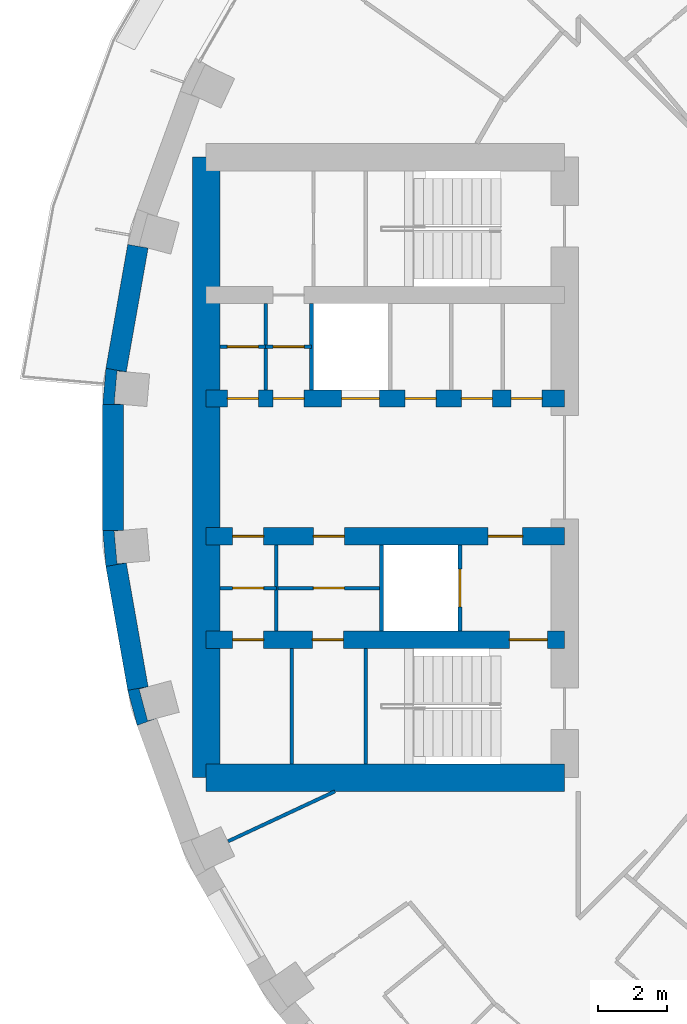
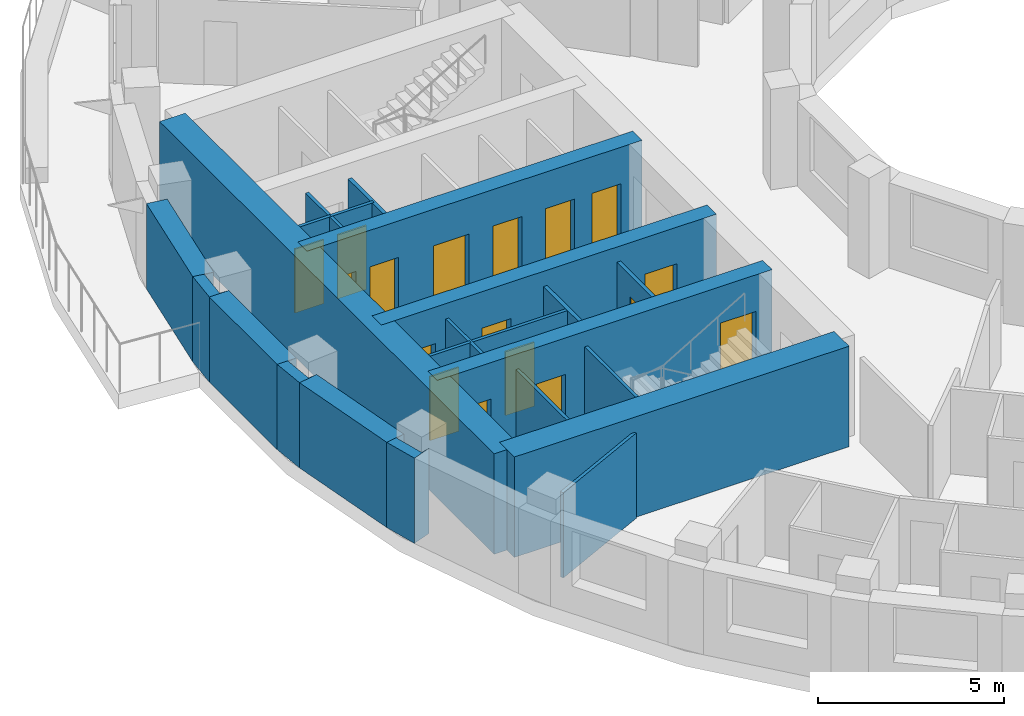
# One storey, part 6 of 14: 23 walls, 17 doors, 17 openings.
"""IFC4 building model written with IfcOpenShell, lengths in metres."""

from ifc_helpers import new_model, si_unit, direction, frame, frame_2d, origin, place, context, subcontext, project, spatial, polyline, rectangle, outline, extrude, material, layer, layer_set, type_object, element, fill, save


model = new_model("IFC4")

# Units and contexts
model_context = context("Model", 3, precision=1e-05, world=origin(), true_north=direction((0.0, 1.0)))
body_context = subcontext(model_context, "Body", "Model", "MODEL_VIEW")
ifc_project = project(units=[si_unit("LENGTHUNIT", "METRE"), si_unit("AREAUNIT", "SQUARE_METRE"), si_unit("VOLUMEUNIT", "CUBIC_METRE"), si_unit("PLANEANGLEUNIT", "RADIAN"), si_unit("MASSUNIT", "GRAM", prefix="KILO")], contexts=[model_context])

# Site, building, storey
site_placement = place(None, origin())
site = spatial("IfcSite", under=ifc_project, at=site_placement, CompositionType="ELEMENT")
building_placement = place(site_placement, origin())
building = spatial("IfcBuilding", under=site, at=building_placement, Name="Saqina Gate Tower", CompositionType="ELEMENT")
storey_placement = place(building_placement, frame((0.0, 0.0, 101.800048828125)))
storey = spatial("IfcBuildingStorey", under=building, at=storey_placement, Name="L28", CompositionType="ELEMENT", Elevation=101.800048828125)

# Walls
ifc_material_1 = material(Name="Brick masonry (buff)", Category="masonry")
wall_type_1 = type_object("IfcWallType", Name="BRICK PIER COPING BUFF", PredefinedType="SOLIDWALL", material=ifc_material_1)
wall_1_placement = place(storey_placement, origin())
element("IfcWall", 1, at=wall_1_placement, inside=storey, type_object=wall_type_1, Name="Pier cap L28 column 18", PredefinedType="SOLIDWALL", context=body_context, shape_type="SweptSolid", body=[
    extrude(outline(polyline([(-26.805419921875, 2.87451171875), (-26.897216796875, 1.823974609375), (-26.29736328125, 1.823974609375), (-26.565185546875, 1.847412109375), (-26.482421875, 2.793701171875), (-26.214599609375, 2.770263671875), (-26.805419921875, 2.87451171875)])), origin(), (0.0, 0.0, 1.0), 2.800048828125),
])
wall_2_placement = place(storey_placement, origin())
element("IfcWall", 2, at=wall_2_placement, inside=storey, type_object=wall_type_1, Name="Pier cap L28 column 19", PredefinedType="SOLIDWALL", context=body_context, shape_type="SweptSolid", body=[
    extrude(outline(polyline([(-26.805419921875, -2.87451171875), (-26.214599609375, -2.770263671875), (-26.482421875, -2.793701171875), (-26.565185546875, -1.847412109375), (-26.29736328125, -1.823974609375), (-26.897216796875, -1.823974609375), (-26.805419921875, -2.87451171875)])), origin(), (0.0, 0.0, 1.0), 2.800048828125),
])
wall_3_placement = place(storey_placement, origin())
element("IfcWall", 3, at=wall_3_placement, inside=storey, type_object=wall_type_1, Name="Pier cap L28 column 20", PredefinedType="SOLIDWALL", context=body_context, shape_type="SweptSolid", body=[
    extrude(outline(polyline([(-26.171875, -6.466796875), (-25.89892578125, -7.485595703125), (-25.335205078125, -7.2802734375), (-25.5947265625, -7.349853515625), (-25.8408203125, -6.43212890625), (-25.5810546875, -6.36279296875), (-26.171875, -6.466796875)])), origin(), (0.0, 0.0, 1.0), 2.800048828125),
])
ifc_material_2 = material(Name="Gypsum board on steel studs", Category="steel")
ifc_layer_1 = layer(ifc_material_2, 0.10009765625)
ifc_layer_set_1 = layer_set([ifc_layer_1], Name="CORE PARTITION")
wall_type_2 = type_object("IfcWallType", Name="CORE PARTITION", PredefinedType="PARTITIONING", material=ifc_layer_set_1)
for number, where, z_axis, x_axis, name in (
    (4, (-22.169921875, 2.25, 0.0), (0.0, 0.0, 1.0), (0.0, 1.0, 0.0), "L28-CP-W05"),
    (5, (-21.8583984375, -4.75, 0.0), (0.0, 0.0, 1.0), (0.0, 1.0, 0.0), "L28-CP-W08"),
):
    element("IfcWall", number, at=place(storey_placement, frame(where, z_axis=z_axis, x_axis=x_axis)), inside=storey, type_object=wall_type_2, Name=name, PredefinedType="PARTITIONING", context=body_context, shape_type="SweptSolid", body=[
        extrude(rectangle(XDim=2.5, YDim=0.10009765625, at=frame_2d((1.25, 0.0))), origin(), (0.0, 0.0, 1.0), 2.800048828125),
    ])

# Wall, opening, door
wall_4_placement = place(storey_placement, frame((-20.840087890625, 3.5, 0.0), z_axis=(0.0, 0.0, 1.0), x_axis=(-1.0, 0.0, 0.0)))
wall_4 = element("IfcWall", 6, at=wall_4_placement, inside=storey, type_object=wall_type_2, Name="L28-CP-W09", PredefinedType="PARTITIONING", context=body_context, shape_type="SweptSolid", body=[
    extrude(rectangle(XDim=1.329833984375, YDim=0.10009765625, at=frame_2d((0.6650390625, 0.0))), origin(), (0.0, 0.0, 1.0), 2.800048828125),
])
opening_1_placement = place(wall_4_placement, frame((0.215087890625, 0.0, 0.0)))
opening_1 = element("IfcOpeningElement", 7, at=opening_1_placement, cuts=wall_4, Name="Opening G08-D119", PredefinedType="OPENING", context=body_context, shape_type="SweptSolid", body=[
    extrude(rectangle(XDim=0.89990234375, YDim=2.10009765625, at=frame_2d((0.449951171875, 1.050048828125))), frame((0.0, 0.06201171875, 0.0), z_axis=(0.0, -1.0, 0.0), x_axis=(1.0, 0.0, 0.0)), (0.0, 0.0, 1.0), 0.1240234375),
])
ifc_material_3 = material(Name="Steel-framed fire door leaf, EI 60", Category="steel")
door_type_1 = type_object("IfcDoorType", Name="SERVICE ROOM DOOR 900", OperationType="SINGLE_SWING_LEFT", PredefinedType="DOOR", material=ifc_material_3)
door_1_placement = place(opening_1_placement, frame((0.89990234375, 0.0, 0.0), z_axis=(0.0, 0.0, 1.0), x_axis=(-1.0, 0.0, 0.0)))
door_1 = element("IfcDoor", 8, at=door_1_placement, inside=storey, type_object=door_type_1, Name="L28-CD-W30", OperationType="SINGLE_SWING_RIGHT", OverallHeight=2.10009765625, OverallWidth=0.89990234375, PredefinedType="DOOR", context=body_context, shape_type="SweptSolid", body=[
    extrude(rectangle(XDim=0.89990234375, YDim=2.10009765625, at=frame_2d((0.449951171875, 1.050048828125))), frame((0.0, 0.02490234375, 0.0), z_axis=(0.0, -1.0, 0.0), x_axis=(1.0, 0.0, 0.0)), (0.0, 0.0, 1.0), 0.050048828125),
])
fill(opening_1, door_1)

wall_5_placement = place(storey_placement, frame((-22.169921875, 3.5, 0.0), z_axis=(0.0, 0.0, 1.0), x_axis=(-1.0, 0.0, 0.0)))
wall_5 = element("IfcWall", 9, at=wall_5_placement, inside=storey, type_object=wall_type_2, Name="L28-CP-W10", PredefinedType="PARTITIONING", context=body_context, shape_type="SweptSolid", body=[
    extrude(rectangle(XDim=1.330078125, YDim=0.10009765625, at=frame_2d((0.6650390625, 0.0))), origin(), (0.0, 0.0, 1.0), 2.800048828125),
])
opening_2_placement = place(wall_5_placement, frame((0.215087890625, 0.0, 0.0)))
opening_2 = element("IfcOpeningElement", 10, at=opening_2_placement, cuts=wall_5, Name="Opening G08-D118", PredefinedType="OPENING", context=body_context, shape_type="SweptSolid", body=[
    extrude(rectangle(XDim=0.89990234375, YDim=2.10009765625, at=frame_2d((0.449951171875, 1.050048828125))), frame((0.0, 0.06201171875, 0.0), z_axis=(0.0, -1.0, 0.0), x_axis=(1.0, 0.0, 0.0)), (0.0, 0.0, 1.0), 0.1240234375),
])
door_2_placement = place(opening_2_placement, frame((0.89990234375, 0.0, 0.0), z_axis=(0.0, 0.0, 1.0), x_axis=(-1.0, 0.0, 0.0)))
door_2 = element("IfcDoor", 11, at=door_2_placement, inside=storey, type_object=door_type_1, Name="L28-CD-W29", OperationType="SINGLE_SWING_LEFT", OverallHeight=2.10009765625, OverallWidth=0.89990234375, PredefinedType="DOOR", context=body_context, shape_type="SweptSolid", body=[
    extrude(rectangle(XDim=0.89990234375, YDim=2.10009765625, at=frame_2d((0.449951171875, 1.050048828125))), frame((0.0, 0.02490234375, 0.0), z_axis=(0.0, -1.0, 0.0), x_axis=(1.0, 0.0, 0.0)), (0.0, 0.0, 1.0), 0.050048828125),
])
fill(opening_2, door_2)

wall_6_placement = place(storey_placement, frame((-18.81005859375, -3.5, 0.0), z_axis=(0.0, 0.0, 1.0), x_axis=(-1.0, 0.0, 0.0)))
wall_6 = element("IfcWall", 12, at=wall_6_placement, inside=storey, type_object=wall_type_2, Name="L28-CP-W11", PredefinedType="PARTITIONING", context=body_context, shape_type="SweptSolid", body=[
    extrude(rectangle(XDim=3.04833984375, YDim=0.10009765625, at=frame_2d((1.524169921875, 0.0))), origin(), (0.0, 0.0, 1.0), 2.800048828125),
])
opening_3_placement = place(wall_6_placement, frame((1.07421875, 0.0, 0.0)))
opening_3 = element("IfcOpeningElement", 13, at=opening_3_placement, cuts=wall_6, Name="Opening G08-D123", PredefinedType="OPENING", context=body_context, shape_type="SweptSolid", body=[
    extrude(rectangle(XDim=0.89990234375, YDim=2.10009765625, at=frame_2d((0.449951171875, 1.050048828125))), frame((0.0, 0.06201171875, 0.0), z_axis=(0.0, -1.0, 0.0), x_axis=(1.0, 0.0, 0.0)), (0.0, 0.0, 1.0), 0.1240234375),
])
door_3_placement = place(opening_3_placement, origin())
door_3 = element("IfcDoor", 14, at=door_3_placement, inside=storey, type_object=door_type_1, Name="L28-CD-W34", OperationType="SINGLE_SWING_LEFT", OverallHeight=2.10009765625, OverallWidth=0.89990234375, PredefinedType="DOOR", context=body_context, shape_type="SweptSolid", body=[
    extrude(rectangle(XDim=0.89990234375, YDim=2.10009765625, at=frame_2d((0.449951171875, 1.050048828125))), frame((0.0, 0.02490234375, 0.0), z_axis=(0.0, -1.0, 0.0), x_axis=(1.0, 0.0, 0.0)), (0.0, 0.0, 1.0), 0.050048828125),
])
fill(opening_3, door_3)

wall_7_placement = place(storey_placement, frame((-21.8583984375, -3.5, 0.0), z_axis=(0.0, 0.0, 1.0), x_axis=(-1.0, 0.0, 0.0)))
wall_7 = element("IfcWall", 15, at=wall_7_placement, inside=storey, type_object=wall_type_2, Name="L28-CP-W12", PredefinedType="PARTITIONING", context=body_context, shape_type="SweptSolid", body=[
    extrude(rectangle(XDim=1.6416015625, YDim=0.10009765625, at=frame_2d((0.82080078125, 0.0))), origin(), (0.0, 0.0, 1.0), 2.800048828125),
])
opening_4_placement = place(wall_7_placement, frame((0.370849609375, 0.0, 0.0)))
opening_4 = element("IfcOpeningElement", 16, at=opening_4_placement, cuts=wall_7, Name="Opening G08-D122", PredefinedType="OPENING", context=body_context, shape_type="SweptSolid", body=[
    extrude(rectangle(XDim=0.89990234375, YDim=2.10009765625, at=frame_2d((0.449951171875, 1.050048828125))), frame((0.0, 0.06201171875, 0.0), z_axis=(0.0, -1.0, 0.0), x_axis=(1.0, 0.0, 0.0)), (0.0, 0.0, 1.0), 0.1240234375),
])
door_4_placement = place(opening_4_placement, origin())
door_4 = element("IfcDoor", 17, at=door_4_placement, inside=storey, type_object=door_type_1, Name="L28-CD-W33", OperationType="SINGLE_SWING_RIGHT", OverallHeight=2.10009765625, OverallWidth=0.89990234375, PredefinedType="DOOR", context=body_context, shape_type="SweptSolid", body=[
    extrude(rectangle(XDim=0.89990234375, YDim=2.10009765625, at=frame_2d((0.449951171875, 1.050048828125))), frame((0.0, 0.02490234375, 0.0), z_axis=(0.0, -1.0, 0.0), x_axis=(1.0, 0.0, 0.0)), (0.0, 0.0, 1.0), 0.050048828125),
])
fill(opening_4, door_4)

# Walls
wall_8_placement = place(storey_placement, frame((-21.409912109375, -8.60009765625, 0.0), z_axis=(0.0, 0.0, 1.0), x_axis=(0.0, 1.0, 0.0)))
element("IfcWall", 18, at=wall_8_placement, inside=storey, type_object=wall_type_2, Name="L28-CP-W16", PredefinedType="PARTITIONING", context=body_context, shape_type="SweptSolid", body=[
    extrude(rectangle(XDim=3.35009765625, YDim=0.10009765625, at=frame_2d((1.675048828125, 0.0))), origin(), (0.0, 0.0, 1.0), 2.800048828125),
])
ifc_material_4 = material(Name="Glazed ceramic tile", Category="ceramic")
ifc_layer_2 = layer(ifc_material_4, 0.60009765625)
ifc_layer_set_2 = layer_set([ifc_layer_2], Name="FW-TILE")
wall_type_3 = type_object("IfcWallType", Name="FW-TILE", PredefinedType="SOLIDWALL", material=ifc_layer_set_2)
for number, where, z_axis, x_axis, name in (
    (19, (-25.87646484375, 6.414794921875, 0.0), (0.0, 0.0, 1.0), (-0.173670796382, -0.984803764455, 0.0), "Facade wall L28 facet 17"),
    (20, (-26.510009765625, -2.822265625, 0.0), (0.0, 0.0, 1.0), (0.173670796382, -0.984803764455, 0.0), "Facade wall L28 facet 19"),
):
    element("IfcWall", number, at=place(storey_placement, frame(where, z_axis=z_axis, x_axis=x_axis)), inside=storey, type_object=wall_type_3, Name=name, PredefinedType="SOLIDWALL", context=body_context, shape_type="SweptSolid", body=[
        extrude(rectangle(XDim=3.64794921875, YDim=0.60009765625, at=frame_2d((1.823974609375, 0.0))), origin(), (0.0, 0.0, 1.0), 2.800048828125),
    ])
ifc_material_5 = material(Name="Glazed ceramic tile (dark blue)", Category="ceramic")
ifc_layer_3 = layer(ifc_material_5, 0.60009765625)
ifc_layer_set_3 = layer_set([ifc_layer_3], Name="FW-TILE-CB")
wall_type_4 = type_object("IfcWallType", Name="FW-TILE-CB", PredefinedType="SOLIDWALL", material=ifc_layer_set_3)
wall_9_placement = place(storey_placement, frame((-26.59716796875, 1.823974609375, 0.0), z_axis=(0.0, 0.0, 1.0), x_axis=(0.0, -1.0, 0.0)))
element("IfcWall", 21, at=wall_9_placement, inside=storey, type_object=wall_type_4, Name="Facade wall L28 facet 18", PredefinedType="SOLIDWALL", context=body_context, shape_type="SweptSolid", body=[
    extrude(rectangle(XDim=3.64794921875, YDim=0.60009765625, at=frame_2d((1.823974609375, 0.0))), origin(), (0.0, 0.0, 1.0), 2.800048828125),
])
ifc_material_6 = material(Name="Gypsum board on steel studs, 100 mm", Category="steel")
ifc_layer_4 = layer(ifc_material_6, 0.10009765625)
ifc_layer_set_4 = layer_set([ifc_layer_4], Name="PARTITION 100")
wall_type_5 = type_object("IfcWallType", Name="PARTITION 100", PredefinedType="PARTITIONING", material=ifc_layer_set_4)
wall_10_placement = place(storey_placement, frame((-23.260009765625, -10.84716796875, 0.0), z_axis=(0.0, 0.0, 1.0), x_axis=(0.906121146584, 0.423018282954, 0.0)))
element("IfcWall", 22, at=wall_10_placement, inside=storey, type_object=wall_type_5, Name="PARTITION PW3-60", PredefinedType="PARTITIONING", context=body_context, shape_type="SweptSolid", body=[
    extrude(rectangle(XDim=3.42138671875, YDim=0.10009765625, at=frame_2d((1.710693359375, 0.0))), origin(), (0.0, 0.0, 1.0), 2.800048828125),
])
ifc_material_7 = material(Name="Autoclaved aerated concrete block", Category="concrete")
ifc_layer_5 = layer(ifc_material_7, 0.1201171875)
ifc_layer_set_5 = layer_set([ifc_layer_5], Name="SHAFT PARTITION")
wall_type_6 = type_object("IfcWallType", Name="SHAFT PARTITION", PredefinedType="PARTITIONING", material=ifc_layer_set_5)
wall_11_placement = place(storey_placement, frame((-20.840087890625, 2.25, 0.0), z_axis=(0.0, 0.0, 1.0), x_axis=(0.0, 1.0, 0.0)))
element("IfcWall", 23, at=wall_11_placement, inside=storey, type_object=wall_type_6, Name="L28-CP-W04", PredefinedType="PARTITIONING", context=body_context, shape_type="SweptSolid", body=[
    extrude(rectangle(XDim=2.5, YDim=0.1201171875, at=frame_2d((1.25, 0.0))), origin(), (0.0, 0.0, 1.0), 2.800048828125),
])

# Wall, opening, door
wall_12_placement = place(storey_placement, frame((-16.530029296875, -4.75, 0.0), z_axis=(0.0, 0.0, 1.0), x_axis=(0.0, 1.0, 0.0)))
wall_12 = element("IfcWall", 24, at=wall_12_placement, inside=storey, type_object=wall_type_6, Name="L28-CP-W06", PredefinedType="PARTITIONING", context=body_context, shape_type="SweptSolid", body=[
    extrude(rectangle(XDim=2.5, YDim=0.1201171875, at=frame_2d((1.25, 0.0))), origin(), (0.0, 0.0, 1.0), 2.800048828125),
])
opening_5_placement = place(wall_12_placement, frame((0.699951171875, 0.0, 0.0)))
opening_5 = element("IfcOpeningElement", 25, at=opening_5_placement, cuts=wall_12, Name="Opening G08-LD4", PredefinedType="OPENING", context=body_context, shape_type="SweptSolid", body=[
    extrude(rectangle(XDim=1.10009765625, YDim=2.10009765625, at=frame_2d((0.550048828125, 1.050048828125))), frame((0.0, 0.072021484375, 0.0), z_axis=(0.0, -1.0, 0.0), x_axis=(1.0, 0.0, 0.0)), (0.0, 0.0, 1.0), 0.14404296875),
])
ifc_material_8 = material(Name="Stainless steel", Category="steel")
door_type_2 = type_object("IfcDoorType", Name="LANDING DOOR", OperationType="DOUBLE_DOOR_SLIDING", PredefinedType="DOOR", material=ifc_material_8)
door_5_placement = place(opening_5_placement, origin())
door_5 = element("IfcDoor", 26, at=door_5_placement, inside=storey, type_object=door_type_2, Name="LANDING DOOR FF2", OperationType="DOUBLE_DOOR_SLIDING", OverallHeight=2.10009765625, OverallWidth=1.10009765625, PredefinedType="DOOR", context=body_context, shape_type="SweptSolid", body=[
    extrude(rectangle(XDim=1.10009765625, YDim=2.10009765625, at=frame_2d((0.550048828125, 1.050048828125))), frame((0.0, 0.02490234375, 0.0), z_axis=(0.0, -1.0, 0.0), x_axis=(1.0, 0.0, 0.0)), (0.0, 0.0, 1.0), 0.050048828125),
])
fill(opening_5, door_5)

# Walls
wall_13_placement = place(storey_placement, frame((-18.81005859375, -4.75, 0.0), z_axis=(0.0, 0.0, 1.0), x_axis=(0.0, 1.0, 0.0)))
element("IfcWall", 27, at=wall_13_placement, inside=storey, type_object=wall_type_6, Name="L28-CP-W07", PredefinedType="PARTITIONING", context=body_context, shape_type="SweptSolid", body=[
    extrude(rectangle(XDim=2.5, YDim=0.1201171875, at=frame_2d((1.25, 0.0))), origin(), (0.0, 0.0, 1.0), 2.800048828125),
])
ifc_material_9 = material(Name="Autoclaved aerated concrete block", Category="concrete")
ifc_layer_6 = layer(ifc_material_9, 0.10009765625)
ifc_layer_set_6 = layer_set([ifc_layer_6], Name="STAIR ENCLOSURE WALL")
wall_type_7 = type_object("IfcWallType", Name="STAIR ENCLOSURE WALL", PredefinedType="PARTITIONING", material=ifc_layer_set_6)
wall_14_placement = place(storey_placement, frame((-19.27001953125, -8.60009765625, 0.0), z_axis=(0.0, 0.0, 1.0), x_axis=(0.0, 1.0, 0.0)))
element("IfcWall", 28, at=wall_14_placement, inside=storey, type_object=wall_type_7, Name="L28-CP-W15", PredefinedType="PARTITIONING", context=body_context, shape_type="SweptSolid", body=[
    extrude(rectangle(XDim=3.35009765625, YDim=0.10009765625, at=frame_2d((1.675048828125, 0.0))), origin(), (0.0, 0.0, 1.0), 2.800048828125),
])

# Wall, openings, doors
ifc_material_10 = material(Name="Concrete C70/85", Category="concrete")
ifc_layer_7 = layer(ifc_material_10, 0.5)
ifc_layer_set_7 = layer_set([ifc_layer_7], Name="Concrete C70/85")
wall_type_8 = type_object("IfcWallType", Name="STR-CORE WALL-B-I", PredefinedType="SHEAR", material=ifc_layer_set_7)
wall_15_placement = place(storey_placement, frame((-13.5, -5.0, 0.0), z_axis=(0.0, 0.0, 1.0), x_axis=(-1.0, 0.0, 0.0)))
wall_15 = element("IfcWall", 29, at=wall_15_placement, inside=storey, type_object=wall_type_8, Name="CORE WALL L28 W-X2", PredefinedType="SHEAR", context=body_context, shape_type="SweptSolid", body=[
    extrude(rectangle(XDim=10.39990234375, YDim=0.5, at=frame_2d((5.199951171875, 0.0))), origin(), (0.0, 0.0, 1.0), 3.300048828125),
])
opening_6_placement = place(wall_15_placement, frame((6.4150390625, 0.0, 0.0)))
opening_6 = element("IfcOpeningElement", 30, at=opening_6_placement, cuts=wall_15, Name="Opening G08-D124", PredefinedType="OPENING", context=body_context, shape_type="SweptSolid", body=[
    extrude(rectangle(XDim=0.89990234375, YDim=2.10009765625, at=frame_2d((0.449951171875, 1.050048828125))), frame((0.0, 0.261962890625, 0.0), z_axis=(0.0, -1.0, 0.0), x_axis=(1.0, 0.0, 0.0)), (0.0, 0.0, 1.0), 0.52392578125),
])
opening_7_placement = place(wall_15_placement, frame((8.729248046875, 0.0, 0.0)))
opening_7 = element("IfcOpeningElement", 31, at=opening_7_placement, cuts=wall_15, Name="Opening G08-D125", PredefinedType="OPENING", context=body_context, shape_type="SweptSolid", body=[
    extrude(rectangle(XDim=0.89990234375, YDim=2.10009765625, at=frame_2d((0.449951171875, 1.050048828125))), frame((0.0, 0.261962890625, 0.0), z_axis=(0.0, -1.0, 0.0), x_axis=(1.0, 0.0, 0.0)), (0.0, 0.0, 1.0), 0.52392578125),
])
opening_8_placement = place(wall_15_placement, frame((0.5, 0.0, 0.0)))
opening_8 = element("IfcOpeningElement", 32, at=opening_8_placement, cuts=wall_15, Name="Opening G08-D126", PredefinedType="OPENING", context=body_context, shape_type="SweptSolid", body=[
    extrude(rectangle(XDim=1.10009765625, YDim=2.10009765625, at=frame_2d((0.550048828125, 1.050048828125))), frame((0.0, 0.261962890625, 0.0), z_axis=(0.0, -1.0, 0.0), x_axis=(1.0, 0.0, 0.0)), (0.0, 0.0, 1.0), 0.52392578125),
])
ifc_material_11 = material(Name="Steel", Category="steel")
door_type_3 = type_object("IfcDoorType", Name="FIRE LOBBY DOOR EI 60 WIDE", OperationType="SINGLE_SWING_LEFT", PredefinedType="DOOR", material=ifc_material_11)
door_6_placement = place(opening_8_placement, origin())
door_6 = element("IfcDoor", 33, at=door_6_placement, inside=storey, type_object=door_type_3, Name="L28-CD-W37", OperationType="SINGLE_SWING_LEFT", OverallHeight=2.10009765625, OverallWidth=1.10009765625, PredefinedType="DOOR", context=body_context, shape_type="SweptSolid", body=[
    extrude(rectangle(XDim=1.10009765625, YDim=2.10009765625, at=frame_2d((0.550048828125, 1.050048828125))), frame((0.0, 0.02490234375, 0.0), z_axis=(0.0, -1.0, 0.0), x_axis=(1.0, 0.0, 0.0)), (0.0, 0.0, 1.0), 0.050048828125),
])
fill(opening_8, door_6)
door_7_placement = place(opening_6_placement, origin())
door_7 = element("IfcDoor", 34, at=door_7_placement, inside=storey, type_object=door_type_1, Name="L28-CD-W35", OperationType="SINGLE_SWING_RIGHT", OverallHeight=2.10009765625, OverallWidth=0.89990234375, PredefinedType="DOOR", context=body_context, shape_type="SweptSolid", body=[
    extrude(rectangle(XDim=0.89990234375, YDim=2.10009765625, at=frame_2d((0.449951171875, 1.050048828125))), frame((0.0, 0.02490234375, 0.0), z_axis=(0.0, -1.0, 0.0), x_axis=(1.0, 0.0, 0.0)), (0.0, 0.0, 1.0), 0.050048828125),
])
fill(opening_6, door_7)
door_8_placement = place(opening_7_placement, origin())
door_8 = element("IfcDoor", 35, at=door_8_placement, inside=storey, type_object=door_type_1, Name="L28-CD-W36", OperationType="SINGLE_SWING_RIGHT", OverallHeight=2.10009765625, OverallWidth=0.89990234375, PredefinedType="DOOR", context=body_context, shape_type="SweptSolid", body=[
    extrude(rectangle(XDim=0.89990234375, YDim=2.10009765625, at=frame_2d((0.449951171875, 1.050048828125))), frame((0.0, 0.02490234375, 0.0), z_axis=(0.0, -1.0, 0.0), x_axis=(1.0, 0.0, 0.0)), (0.0, 0.0, 1.0), 0.050048828125),
])
fill(opening_7, door_8)

wall_16_placement = place(storey_placement, frame((-13.5, 2.0, 0.0), z_axis=(0.0, 0.0, 1.0), x_axis=(-1.0, 0.0, 0.0)))
wall_16 = element("IfcWall", 36, at=wall_16_placement, inside=storey, type_object=wall_type_8, Name="CORE WALL L28 W-L1", PredefinedType="SHEAR", context=body_context, shape_type="SweptSolid", body=[
    extrude(rectangle(XDim=10.39990234375, YDim=0.5, at=frame_2d((5.199951171875, 0.0))), origin(), (0.0, 0.0, 1.0), 3.300048828125),
])
opening_9_placement = place(wall_16_placement, frame((5.3701171875, 0.0, 0.0)))
opening_9 = element("IfcOpeningElement", 37, at=opening_9_placement, cuts=wall_16, Name="Opening G08-LD3", PredefinedType="OPENING", context=body_context, shape_type="SweptSolid", body=[
    extrude(rectangle(XDim=1.10009765625, YDim=2.10009765625, at=frame_2d((0.550048828125, 1.050048828125))), frame((0.0, 0.261962890625, 0.0), z_axis=(0.0, -1.0, 0.0), x_axis=(1.0, 0.0, 0.0)), (0.0, 0.0, 1.0), 0.52392578125),
])
opening_10_placement = place(wall_16_placement, frame((0.64892578125, 0.0, 0.0)))
opening_10 = element("IfcOpeningElement", 38, at=opening_10_placement, cuts=wall_16, Name="Opening G08-D110", PredefinedType="OPENING", context=body_context, shape_type="SweptSolid", body=[
    extrude(rectangle(XDim=0.89990234375, YDim=2.10009765625, at=frame_2d((0.449951171875, 1.050048828125))), frame((0.0, 0.261962890625, 0.0), z_axis=(0.0, -1.0, 0.0), x_axis=(1.0, 0.0, 0.0)), (0.0, 0.0, 1.0), 0.52392578125),
])
opening_11_placement = place(wall_16_placement, frame((2.093505859375, 0.0, 0.0)))
opening_11 = element("IfcOpeningElement", 39, at=opening_11_placement, cuts=wall_16, Name="Opening G08-D111", PredefinedType="OPENING", context=body_context, shape_type="SweptSolid", body=[
    extrude(rectangle(XDim=0.89990234375, YDim=2.10009765625, at=frame_2d((0.449951171875, 1.050048828125))), frame((0.0, 0.261962890625, 0.0), z_axis=(0.0, -1.0, 0.0), x_axis=(1.0, 0.0, 0.0)), (0.0, 0.0, 1.0), 0.52392578125),
])
opening_12_placement = place(wall_16_placement, frame((3.724609375, 0.0, 0.0)))
opening_12 = element("IfcOpeningElement", 40, at=opening_12_placement, cuts=wall_16, Name="Opening G08-D112", PredefinedType="OPENING", context=body_context, shape_type="SweptSolid", body=[
    extrude(rectangle(XDim=0.89990234375, YDim=2.10009765625, at=frame_2d((0.449951171875, 1.050048828125))), frame((0.0, 0.261962890625, 0.0), z_axis=(0.0, -1.0, 0.0), x_axis=(1.0, 0.0, 0.0)), (0.0, 0.0, 1.0), 0.52392578125),
])
opening_13_placement = place(wall_16_placement, frame((7.554931640625, 0.0, 0.0)))
opening_13 = element("IfcOpeningElement", 41, at=opening_13_placement, cuts=wall_16, Name="Opening G08-D113", PredefinedType="OPENING", context=body_context, shape_type="SweptSolid", body=[
    extrude(rectangle(XDim=0.89990234375, YDim=2.10009765625, at=frame_2d((0.449951171875, 1.050048828125))), frame((0.0, 0.261962890625, 0.0), z_axis=(0.0, -1.0, 0.0), x_axis=(1.0, 0.0, 0.0)), (0.0, 0.0, 1.0), 0.52392578125),
])
opening_14_placement = place(wall_16_placement, frame((8.885009765625, 0.0, 0.0)))
opening_14 = element("IfcOpeningElement", 42, at=opening_14_placement, cuts=wall_16, Name="Opening G08-D114", PredefinedType="OPENING", context=body_context, shape_type="SweptSolid", body=[
    extrude(rectangle(XDim=0.89990234375, YDim=2.10009765625, at=frame_2d((0.449951171875, 1.050048828125))), frame((0.0, 0.261962890625, 0.0), z_axis=(0.0, -1.0, 0.0), x_axis=(1.0, 0.0, 0.0)), (0.0, 0.0, 1.0), 0.52392578125),
])
door_9_placement = place(opening_9_placement, origin())
door_9 = element("IfcDoor", 43, at=door_9_placement, inside=storey, type_object=door_type_2, Name="LANDING DOOR MR2", OperationType="DOUBLE_DOOR_SLIDING", OverallHeight=2.10009765625, OverallWidth=1.10009765625, PredefinedType="DOOR", context=body_context, shape_type="SweptSolid", body=[
    extrude(rectangle(XDim=1.10009765625, YDim=2.10009765625, at=frame_2d((0.550048828125, 1.050048828125))), frame((0.0, 0.02490234375, 0.0), z_axis=(0.0, -1.0, 0.0), x_axis=(1.0, 0.0, 0.0)), (0.0, 0.0, 1.0), 0.050048828125),
])
fill(opening_9, door_9)
door_10_placement = place(opening_10_placement, frame((0.89990234375, 0.0, 0.0), z_axis=(0.0, 0.0, 1.0), x_axis=(-1.0, 0.0, 0.0)))
door_10 = element("IfcDoor", 44, at=door_10_placement, inside=storey, type_object=door_type_1, Name="L28-CD-W21", OperationType="SINGLE_SWING_RIGHT", OverallHeight=2.10009765625, OverallWidth=0.89990234375, PredefinedType="DOOR", context=body_context, shape_type="SweptSolid", body=[
    extrude(rectangle(XDim=0.89990234375, YDim=2.10009765625, at=frame_2d((0.449951171875, 1.050048828125))), frame((0.0, 0.02490234375, 0.0), z_axis=(0.0, -1.0, 0.0), x_axis=(1.0, 0.0, 0.0)), (0.0, 0.0, 1.0), 0.050048828125),
])
fill(opening_10, door_10)
door_11_placement = place(opening_11_placement, frame((0.89990234375, 0.0, 0.0), z_axis=(0.0, 0.0, 1.0), x_axis=(-1.0, 0.0, 0.0)))
door_11 = element("IfcDoor", 45, at=door_11_placement, inside=storey, type_object=door_type_1, Name="L28-CD-W22", OperationType="SINGLE_SWING_RIGHT", OverallHeight=2.10009765625, OverallWidth=0.89990234375, PredefinedType="DOOR", context=body_context, shape_type="SweptSolid", body=[
    extrude(rectangle(XDim=0.89990234375, YDim=2.10009765625, at=frame_2d((0.449951171875, 1.050048828125))), frame((0.0, 0.02490234375, 0.0), z_axis=(0.0, -1.0, 0.0), x_axis=(1.0, 0.0, 0.0)), (0.0, 0.0, 1.0), 0.050048828125),
])
fill(opening_11, door_11)
door_12_placement = place(opening_12_placement, frame((0.89990234375, 0.0, 0.0), z_axis=(0.0, 0.0, 1.0), x_axis=(-1.0, 0.0, 0.0)))
door_12 = element("IfcDoor", 46, at=door_12_placement, inside=storey, type_object=door_type_1, Name="L28-CD-W23", OperationType="SINGLE_SWING_LEFT", OverallHeight=2.10009765625, OverallWidth=0.89990234375, PredefinedType="DOOR", context=body_context, shape_type="SweptSolid", body=[
    extrude(rectangle(XDim=0.89990234375, YDim=2.10009765625, at=frame_2d((0.449951171875, 1.050048828125))), frame((0.0, 0.02490234375, 0.0), z_axis=(0.0, -1.0, 0.0), x_axis=(1.0, 0.0, 0.0)), (0.0, 0.0, 1.0), 0.050048828125),
])
fill(opening_12, door_12)
door_13_placement = place(opening_13_placement, frame((0.89990234375, 0.0, 0.0), z_axis=(0.0, 0.0, 1.0), x_axis=(-1.0, 0.0, 0.0)))
door_13 = element("IfcDoor", 47, at=door_13_placement, inside=storey, type_object=door_type_1, Name="L28-CD-W24", OperationType="SINGLE_SWING_RIGHT", OverallHeight=2.10009765625, OverallWidth=0.89990234375, PredefinedType="DOOR", context=body_context, shape_type="SweptSolid", body=[
    extrude(rectangle(XDim=0.89990234375, YDim=2.10009765625, at=frame_2d((0.449951171875, 1.050048828125))), frame((0.0, 0.02490234375, 0.0), z_axis=(0.0, -1.0, 0.0), x_axis=(1.0, 0.0, 0.0)), (0.0, 0.0, 1.0), 0.050048828125),
])
fill(opening_13, door_13)
door_14_placement = place(opening_14_placement, frame((0.89990234375, 0.0, 0.0), z_axis=(0.0, 0.0, 1.0), x_axis=(-1.0, 0.0, 0.0)))
door_14 = element("IfcDoor", 48, at=door_14_placement, inside=storey, type_object=door_type_1, Name="L28-CD-W25", OperationType="SINGLE_SWING_LEFT", OverallHeight=2.10009765625, OverallWidth=0.89990234375, PredefinedType="DOOR", context=body_context, shape_type="SweptSolid", body=[
    extrude(rectangle(XDim=0.89990234375, YDim=2.10009765625, at=frame_2d((0.449951171875, 1.050048828125))), frame((0.0, 0.02490234375, 0.0), z_axis=(0.0, -1.0, 0.0), x_axis=(1.0, 0.0, 0.0)), (0.0, 0.0, 1.0), 0.050048828125),
])
fill(opening_14, door_14)

wall_17_placement = place(storey_placement, frame((-13.5, -2.0, 0.0), z_axis=(0.0, 0.0, 1.0), x_axis=(-1.0, 0.0, 0.0)))
wall_17 = element("IfcWall", 49, at=wall_17_placement, inside=storey, type_object=wall_type_8, Name="CORE WALL L28 W-L2", PredefinedType="SHEAR", context=body_context, shape_type="SweptSolid", body=[
    extrude(rectangle(XDim=10.39990234375, YDim=0.5, at=frame_2d((5.199951171875, 0.0))), origin(), (0.0, 0.0, 1.0), 3.300048828125),
])
opening_15_placement = place(wall_17_placement, frame((1.215087890625, 0.0, 0.0)))
opening_15 = element("IfcOpeningElement", 50, at=opening_15_placement, cuts=wall_17, Name="Opening G08-D115", PredefinedType="OPENING", context=body_context, shape_type="SweptSolid", body=[
    extrude(rectangle(XDim=1.0, YDim=2.10009765625, at=frame_2d((0.5, 1.050048828125))), frame((0.0, 0.261962890625, 0.0), z_axis=(0.0, -1.0, 0.0), x_axis=(1.0, 0.0, 0.0)), (0.0, 0.0, 1.0), 0.52392578125),
])
opening_16_placement = place(wall_17_placement, frame((6.38427734375, 0.0, 0.0)))
opening_16 = element("IfcOpeningElement", 51, at=opening_16_placement, cuts=wall_17, Name="Opening G08-D116", PredefinedType="OPENING", context=body_context, shape_type="SweptSolid", body=[
    extrude(rectangle(XDim=0.89990234375, YDim=2.10009765625, at=frame_2d((0.449951171875, 1.050048828125))), frame((0.0, 0.261962890625, 0.0), z_axis=(0.0, -1.0, 0.0), x_axis=(1.0, 0.0, 0.0)), (0.0, 0.0, 1.0), 0.52392578125),
])
opening_17_placement = place(wall_17_placement, frame((8.729248046875, 0.0, 0.0)))
opening_17 = element("IfcOpeningElement", 52, at=opening_17_placement, cuts=wall_17, Name="Opening G08-D117", PredefinedType="OPENING", context=body_context, shape_type="SweptSolid", body=[
    extrude(rectangle(XDim=0.89990234375, YDim=2.10009765625, at=frame_2d((0.449951171875, 1.050048828125))), frame((0.0, 0.261962890625, 0.0), z_axis=(0.0, -1.0, 0.0), x_axis=(1.0, 0.0, 0.0)), (0.0, 0.0, 1.0), 0.52392578125),
])
ifc_material_12 = material(Name="Steel", Category="steel")
door_type_4 = type_object("IfcDoorType", Name="FIRE LOBBY DOOR EI 60", OperationType="SINGLE_SWING_LEFT", PredefinedType="DOOR", material=ifc_material_12)
door_15_placement = place(opening_15_placement, frame((1.0, 0.0, 0.0), z_axis=(0.0, 0.0, 1.0), x_axis=(-1.0, 0.0, 0.0)))
door_15 = element("IfcDoor", 53, at=door_15_placement, inside=storey, type_object=door_type_4, Name="L28-CD-W26", OperationType="SINGLE_SWING_RIGHT", OverallHeight=2.10009765625, OverallWidth=1.0, PredefinedType="DOOR", context=body_context, shape_type="SweptSolid", body=[
    extrude(rectangle(XDim=1.0, YDim=2.10009765625, at=frame_2d((0.5, 1.050048828125))), frame((0.0, 0.02490234375, 0.0), z_axis=(0.0, -1.0, 0.0), x_axis=(1.0, 0.0, 0.0)), (0.0, 0.0, 1.0), 0.050048828125),
])
fill(opening_15, door_15)
door_16_placement = place(opening_16_placement, origin())
door_16 = element("IfcDoor", 54, at=door_16_placement, inside=storey, type_object=door_type_1, Name="L28-CD-W27", OperationType="SINGLE_SWING_RIGHT", OverallHeight=2.10009765625, OverallWidth=0.89990234375, PredefinedType="DOOR", context=body_context, shape_type="SweptSolid", body=[
    extrude(rectangle(XDim=0.89990234375, YDim=2.10009765625, at=frame_2d((0.449951171875, 1.050048828125))), frame((0.0, 0.02490234375, 0.0), z_axis=(0.0, -1.0, 0.0), x_axis=(1.0, 0.0, 0.0)), (0.0, 0.0, 1.0), 0.050048828125),
])
fill(opening_16, door_16)
door_17_placement = place(opening_17_placement, origin())
door_17 = element("IfcDoor", 55, at=door_17_placement, inside=storey, type_object=door_type_1, Name="L28-CD-W28", OperationType="SINGLE_SWING_RIGHT", OverallHeight=2.10009765625, OverallWidth=0.89990234375, PredefinedType="DOOR", context=body_context, shape_type="SweptSolid", body=[
    extrude(rectangle(XDim=0.89990234375, YDim=2.10009765625, at=frame_2d((0.449951171875, 1.050048828125))), frame((0.0, 0.02490234375, 0.0), z_axis=(0.0, -1.0, 0.0), x_axis=(1.0, 0.0, 0.0)), (0.0, 0.0, 1.0), 0.050048828125),
])
fill(opening_17, door_17)

# Walls
ifc_material_13 = material(Name="Concrete C70/85", Category="concrete")
ifc_layer_8 = layer(ifc_material_13, 0.800048828125)
ifc_layer_set_8 = layer_set([ifc_layer_8], Name="Concrete C70/85")
wall_type_9 = type_object("IfcWallType", Name="STR-CORE WALL-B-O", PredefinedType="SHEAR", material=ifc_layer_set_8)
wall_18_placement = place(storey_placement, frame((-23.89990234375, -9.0, 0.0), z_axis=(0.0, 0.0, 1.0), x_axis=(0.0, 1.0, 0.0)))
element("IfcWall", 56, at=wall_18_placement, inside=storey, type_object=wall_type_9, Name="CORE WALL L28 W-W2", PredefinedType="SHEAR", context=body_context, shape_type="SweptSolid", body=[
    extrude(rectangle(XDim=18.0, YDim=0.800048828125, at=frame_2d((9.0, 0.0))), origin(), (0.0, 0.0, 1.0), 3.300048828125),
])
wall_19_placement = place(storey_placement, frame((-13.5, -9.0, 0.0), z_axis=(0.0, 0.0, 1.0), x_axis=(-1.0, 0.0, 0.0)))
element("IfcWall", 57, at=wall_19_placement, inside=storey, type_object=wall_type_9, Name="CORE WALL L28 W-SE", PredefinedType="SHEAR", context=body_context, shape_type="SweptSolid", body=[
    extrude(rectangle(XDim=10.39990234375, YDim=0.800048828125, at=frame_2d((5.199951171875, 0.0))), origin(), (0.0, 0.0, 1.0), 3.300048828125),
])

save(model, "model.ifc")
